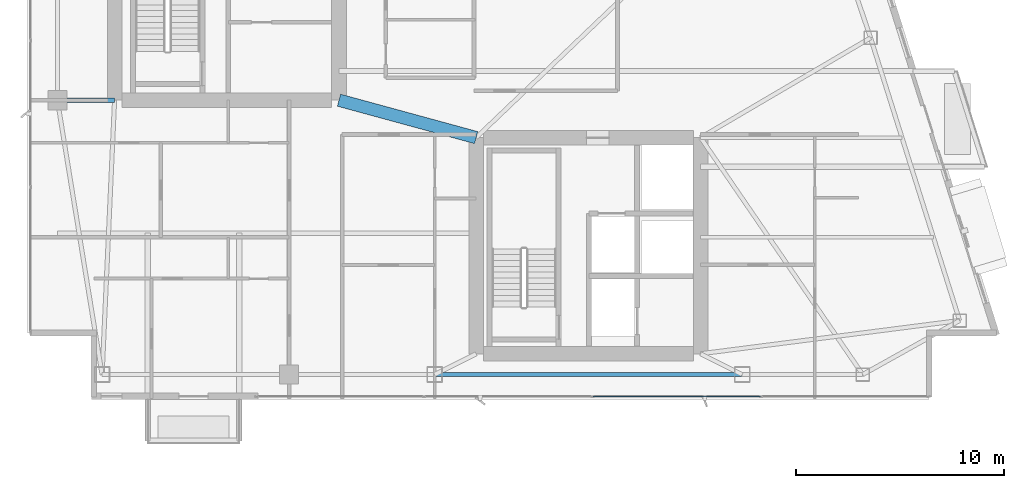
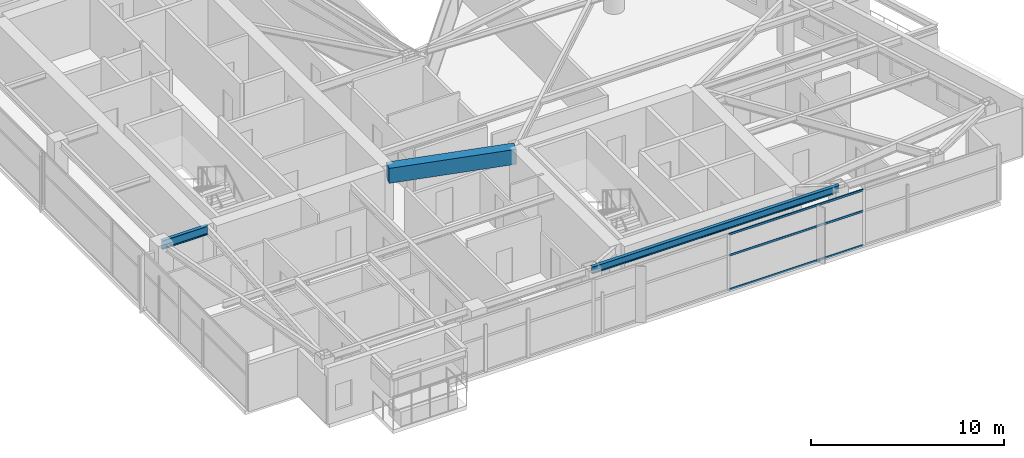
# One storey, part 8 of 29: 3 beams, 3 members, 1 element without a shape of its own.
"""IFC4 building model written with IfcOpenShell, lengths in metres."""

from ifc_helpers import new_model, si_unit, direction, frame, origin, origin_2d, place, context, subcontext, project, spatial, rectangle, hollow_rectangle, i_section, extrude, material, layer, layer_set, material_profile, profile_set, type_object, element, aggregate, save


model = new_model("IFC4")

# Units and contexts
model_context = context("Model", 3, precision=1e-05, world=origin(), true_north=direction((0.0, 1.0)))
body_context = subcontext(model_context, "Body", "Model", "MODEL_VIEW")
ifc_project = project(units=[si_unit("LENGTHUNIT", "METRE"), si_unit("AREAUNIT", "SQUARE_METRE"), si_unit("VOLUMEUNIT", "CUBIC_METRE"), si_unit("PLANEANGLEUNIT", "RADIAN"), si_unit("MASSUNIT", "GRAM", prefix="KILO")], contexts=[model_context])

# Site, building, storey
site_placement = place(None, origin())
site = spatial("IfcSite", under=ifc_project, at=site_placement, CompositionType="ELEMENT")
building_placement = place(site_placement, origin())
building = spatial("IfcBuilding", under=site, at=building_placement, Name="Calvorn Quay Hotel", CompositionType="ELEMENT")
storey_placement = place(building_placement, frame((0.0, 0.0, 247.60009765625)))
storey = spatial("IfcBuildingStorey", under=building, at=storey_placement, Name="L61", CompositionType="ELEMENT", Elevation=247.60009765625)

# Beams
ifc_material_1 = material(Name="Steel Q355B", Category="steel")
ifc_material_profile_1 = material_profile(ifc_material_1, i_section(OverallWidth=0.199951171875, OverallDepth=0.550048828125, WebThickness=0.010009765625, FlangeThickness=0.01611328125, FilletRadius=0.01806640625, at=origin_2d()), Name="HN550x200x10x16")
ifc_profile_set_1 = profile_set([ifc_material_profile_1], Name="Steel Q355B")
beam_type_1 = type_object("IfcBeamType", Name="BM-GIRD-UPP", PredefinedType="BEAM", material=ifc_profile_set_1)
beam_1_placement = place(storey_placement, frame((1.449951171875, 16.800048828125, 3.264892578125), z_axis=(1.0, 0.0, 0.0), x_axis=(0.0, 1.0, 0.0)))
element("IfcBeam", 1, at=beam_1_placement, inside=storey, type_object=beam_type_1, Name="Beam BG-L61-W1", PredefinedType="BEAM", context=body_context, shape_type="SweptSolid", body=[
    extrude(i_section(OverallWidth=0.199951171875, OverallDepth=0.550048828125, WebThickness=0.010009765625, FlangeThickness=0.01611328125, FilletRadius=0.01806640625, at=origin_2d()), origin(), (0.0, 0.0, 1.0), 2.75),
])
ifc_material_2 = material(Name="Concrete C45", Category="concrete")
ifc_material_profile_2 = material_profile(ifc_material_2, rectangle(XDim=0.60009765625, YDim=0.949951171875, at=origin_2d()), Name="RCB600x950")
ifc_profile_set_2 = profile_set([ifc_material_profile_2], Name="Concrete C45")
beam_type_2 = type_object("IfcBeamType", Name="BM-RC-LINK-600x950", PredefinedType="BEAM", material=ifc_profile_set_2)
beam_2_placement = place(storey_placement, frame((15.0, 16.800048828125, 3.06494140625), z_axis=(0.964762997686, -0.263120425462, 0.0), x_axis=(0.263120425462, 0.964762997686, 0.0)))
element("IfcBeam", 2, at=beam_2_placement, inside=storey, type_object=beam_type_2, Name="Beam BCL-L61-01", PredefinedType="BEAM", context=body_context, shape_type="SweptSolid", body=[
    extrude(rectangle(XDim=0.60009765625, YDim=0.949951171875, at=origin_2d()), origin(), (0.0, 0.0, 1.0), 6.841064453125),
])
ifc_material_3 = material(Name="Steel Q355B", Category="steel")
ifc_material_profile_3 = material_profile(ifc_material_3, i_section(OverallWidth=0.199951171875, OverallDepth=0.449951171875, WebThickness=0.009033203125, FlangeThickness=0.013916015625, FilletRadius=0.01611328125, at=origin_2d()), Name="HN450x200x9x14")
ifc_profile_set_3 = profile_set([ifc_material_profile_3], Name="Steel Q355B")
beam_type_3 = type_object("IfcBeamType", Name="BM-SPANDREL-Z3", PredefinedType="SPANDREL", material=ifc_profile_set_3)
beam_3_placement = place(storey_placement, frame((19.60009765625, 3.60009765625, 3.31494140625), z_axis=(1.0, 0.0, 0.0), x_axis=(0.0, 1.0, 0.0)))
element("IfcBeam", 3, at=beam_3_placement, inside=storey, type_object=beam_type_3, Name="Beam BSP-L61-S3", PredefinedType="SPANDREL", context=body_context, shape_type="SweptSolid", body=[
    extrude(i_section(OverallWidth=0.199951171875, OverallDepth=0.449951171875, WebThickness=0.009033203125, FlangeThickness=0.013916015625, FilletRadius=0.01611328125, at=origin_2d()), origin(), (0.0, 0.0, 1.0), 14.7998046875),
])

# Curtain wall, members
ifc_material_4 = material(Name="Champagne Bronze Anodised Aluminium and Low-E Glass", Category="aluminium")
ifc_layer = layer(ifc_material_4, 0.219970703125)
ifc_layer_set = layer_set([ifc_layer], Name="CW-SYS-Z4")
curtain_wall_type = type_object("IfcCurtainWallType", Name="CW-SYS-Z4", PredefinedType="NOTDEFINED", material=ifc_layer_set)
curtain_wall_placement = place(storey_placement, origin())
curtain_wall = element("IfcCurtainWall", 4, at=curtain_wall_placement, inside=storey, type_object=curtain_wall_type, Name="Tower South Waterfront Curtain Wall (L61)", PredefinedType="NOTDEFINED")
ifc_material_5 = material(Name="Champagne Bronze Anodised Aluminium 6063-T6", Category="aluminium")
ifc_material_profile_4 = material_profile(ifc_material_5, hollow_rectangle(XDim=0.054931640625, YDim=0.1298828125, WallThickness=0.003173828125, at=origin_2d()), Name="ALU-T130x55x3.2")
ifc_profile_set_4 = profile_set([ifc_material_profile_4], Name="Champagne Bronze Anodised Aluminium 6063-T6")
member_type = type_object("IfcMemberType", Name="CW-SYS-Z4-TRN", PredefinedType="USERDEFINED", material=ifc_profile_set_4)
member_1_placement = place(storey_placement, frame((27.22998046875, 2.550048828125, 0.02978515625), z_axis=(1.0, 0.0, 0.0), x_axis=(0.0, 1.0, 0.0)))
member_1 = element("IfcMember", 5, at=member_1_placement, type_object=member_type, Name="CW-L61-S transom 3.1", ObjectType="TRANSOM", PredefinedType="USERDEFINED", context=body_context, shape_type="SweptSolid", body=[
    extrude(hollow_rectangle(XDim=0.054931640625, YDim=0.1298828125, WallThickness=0.003173828125, at=origin_2d()), origin(), (0.0, 0.0, 1.0), 8.0400390625),
])
member_2_placement = place(storey_placement, frame((27.22998046875, 2.550048828125, 2.199951171875), z_axis=(1.0, 0.0, 0.0), x_axis=(0.0, 1.0, 0.0)))
member_2 = element("IfcMember", 6, at=member_2_placement, type_object=member_type, Name="CW-L61-S transom 3.2", ObjectType="TRANSOM", PredefinedType="USERDEFINED", context=body_context, shape_type="SweptSolid", body=[
    extrude(hollow_rectangle(XDim=0.054931640625, YDim=0.1298828125, WallThickness=0.003173828125, at=origin_2d()), origin(), (0.0, 0.0, 1.0), 8.0400390625),
])
member_3_placement = place(storey_placement, frame((27.22998046875, 2.550048828125, 3.52978515625), z_axis=(1.0, 0.0, 0.0), x_axis=(0.0, 1.0, 0.0)))
member_3 = element("IfcMember", 7, at=member_3_placement, type_object=member_type, Name="CW-L61-S transom 3.3", ObjectType="TRANSOM", PredefinedType="USERDEFINED", context=body_context, shape_type="SweptSolid", body=[
    extrude(hollow_rectangle(XDim=0.054931640625, YDim=0.1298828125, WallThickness=0.003173828125, at=origin_2d()), origin(), (0.0, 0.0, 1.0), 8.0400390625),
])
aggregate(curtain_wall, [member_1, member_2, member_3])

save(model, "model.ifc")
